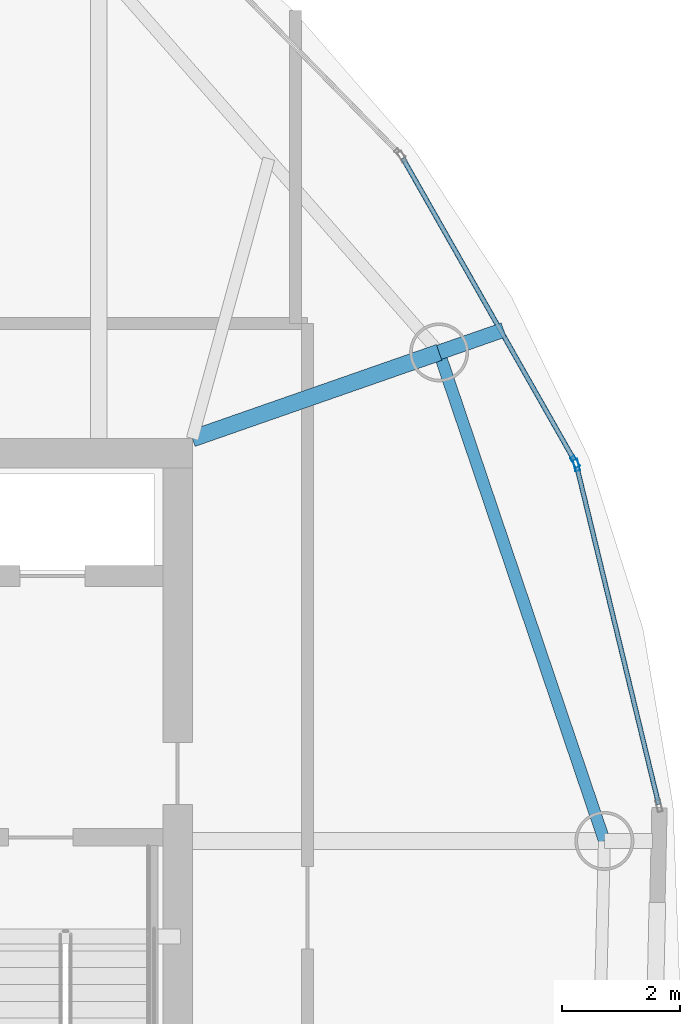
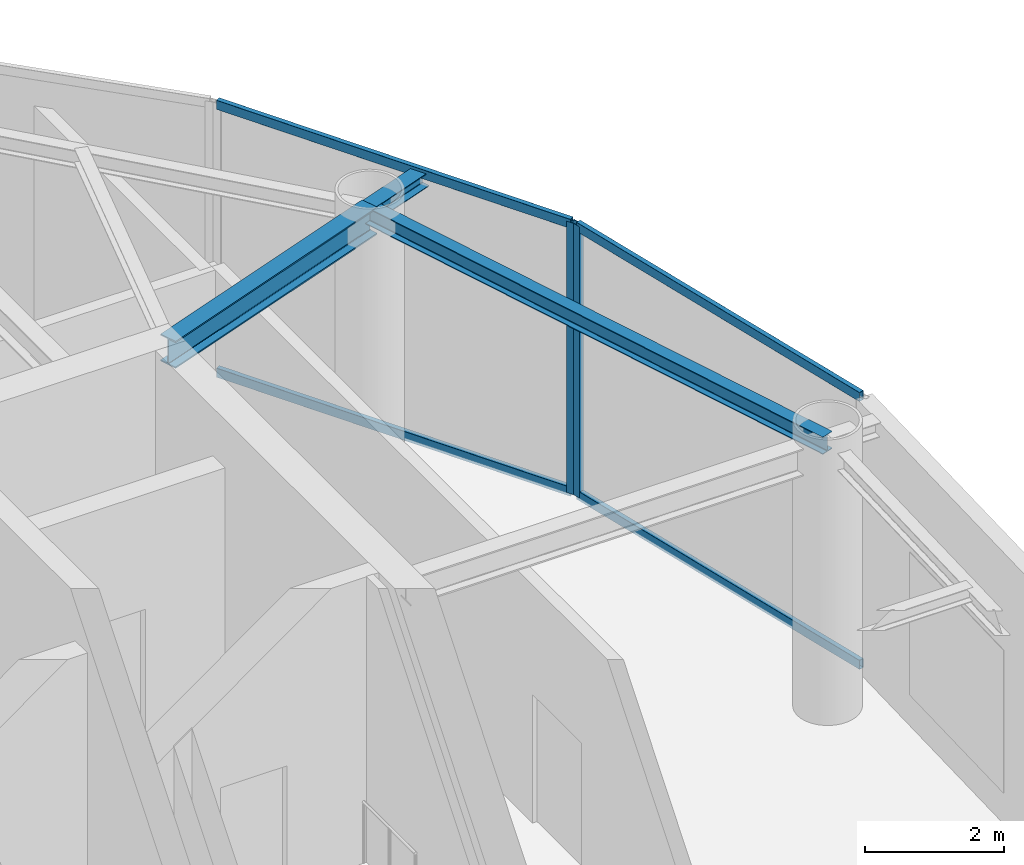
# One storey, part 11 of 23: 6 members, 3 beams, 2 elements without a shape of their own.
"""IFC4 building model written with IfcOpenShell, lengths in metres."""

from ifc_helpers import new_model, si_unit, direction, frame, origin, origin_2d, place, context, subcontext, project, spatial, hollow_rectangle, i_section, extrude, material, layer, layer_set, material_profile, profile_set, type_object, element, aggregate, save


model = new_model("IFC4")

# Units and contexts
model_context = context("Model", 3, precision=1e-05, world=origin(), true_north=direction((0.0, 1.0)))
body_context = subcontext(model_context, "Body", "Model", "MODEL_VIEW")
ifc_project = project(units=[si_unit("LENGTHUNIT", "METRE"), si_unit("AREAUNIT", "SQUARE_METRE"), si_unit("VOLUMEUNIT", "CUBIC_METRE"), si_unit("PLANEANGLEUNIT", "RADIAN"), si_unit("MASSUNIT", "GRAM", prefix="KILO")], contexts=[model_context])

# Site, building, storey
site_placement = place(None, origin())
site = spatial("IfcSite", under=ifc_project, at=site_placement, CompositionType="ELEMENT")
building_placement = place(site_placement, origin())
building = spatial("IfcBuilding", under=site, at=building_placement, Name="Bramvorn Convention Spire", CompositionType="ELEMENT")
storey_placement = place(building_placement, frame((0.0, 0.0, 307.5)))
storey = spatial("IfcBuildingStorey", under=building, at=storey_placement, Name="L78", CompositionType="ELEMENT", Elevation=307.5)

# Beams
ifc_material_1 = material(Name="Steel CSA G40.21 Grade 350 (350W)", Category="steel")
ifc_material_profile_1 = material_profile(ifc_material_1, i_section(OverallWidth=0.25390625, OverallDepth=0.2529296875, WebThickness=0.008544921875, FlangeThickness=0.01416015625, FilletRadius=0.011962890625, at=origin_2d()))
ifc_profile_set_1 = profile_set([ifc_material_profile_1], Name="Steel CSA G40.21 Grade 350 (350W) - W250X73")
beam_type_1 = type_object("IfcBeamType", Name="BM-W250X73", PredefinedType="BEAM", material=ifc_profile_set_1)
beam_1_placement = place(storey_placement, frame((53.4326171875, 34.909912109375, 4.62353515625), z_axis=(0.944143784709, 0.329533782478, 0.0), x_axis=(-0.329533782478, 0.944143784709, 0.0)))
element("IfcBeam", 1, at=beam_1_placement, inside=storey, type_object=beam_type_1, Name="L78 slab-edge cantilever tip beam MC05", PredefinedType="BEAM", context=body_context, shape_type="SweptSolid", body=[
    extrude(i_section(OverallWidth=0.25390625, OverallDepth=0.2529296875, WebThickness=0.008544921875, FlangeThickness=0.01416015625, FilletRadius=0.011962890625, at=origin_2d()), origin(), (0.0, 0.0, 1.0), 1.15869140625),
])
ifc_material_profile_2 = material_profile(ifc_material_1, i_section(OverallWidth=0.202880859375, OverallDepth=0.302978515625, WebThickness=0.007568359375, FlangeThickness=0.01318359375, FilletRadius=0.013916015625, at=origin_2d()))
ifc_profile_set_2 = profile_set([ifc_material_profile_2], Name="Steel CSA G40.21 Grade 350 (350W) - W310X60")
beam_type_2 = type_object("IfcBeamType", Name="BM-W310X60", PredefinedType="JOIST", material=ifc_profile_set_2)
beam_2_placement = place(storey_placement, frame((56.234619140625, 26.62939453125, 4.598388671875), z_axis=(-0.320531023763, 0.947238018032, 0.0), x_axis=(-0.947238018032, -0.320531023763, 0.0)))
element("IfcBeam", 2, at=beam_2_placement, inside=storey, type_object=beam_type_2, Name="L78 mega-column ring beam 04", PredefinedType="JOIST", context=body_context, shape_type="SweptSolid", body=[
    extrude(i_section(OverallWidth=0.202880859375, OverallDepth=0.302978515625, WebThickness=0.007568359375, FlangeThickness=0.01318359375, FilletRadius=0.013916015625, at=origin_2d()), origin(), (0.0, 0.0, 1.0), 8.74169921875),
])
ifc_material_profile_3 = material_profile(ifc_material_1, i_section(OverallWidth=0.283935546875, OverallDepth=0.47607421875, WebThickness=0.014892578125, FlangeThickness=0.02392578125, FilletRadius=0.01806640625, at=origin_2d()))
ifc_profile_set_3 = profile_set([ifc_material_profile_3], Name="Steel CSA G40.21 Grade 350 (350W) - W460X158")
beam_type_3 = type_object("IfcBeamType", Name="BM-W460X158", PredefinedType="SPANDREL", material=ifc_profile_set_3)
beam_3_placement = place(storey_placement, frame((49.25, 33.449951171875, 4.511962890625), z_axis=(0.944136391877, 0.329554962843, 0.0), x_axis=(-0.329554962843, 0.944136391877, 0.0)))
element("IfcBeam", 3, at=beam_3_placement, inside=storey, type_object=beam_type_3, Name="L78 radial floor girder MC05", PredefinedType="SPANDREL", context=body_context, shape_type="SweptSolid", body=[
    extrude(i_section(OverallWidth=0.283935546875, OverallDepth=0.47607421875, WebThickness=0.014892578125, FlangeThickness=0.02392578125, FilletRadius=0.01806640625, at=origin_2d()), origin(), (0.0, 0.0, 1.0), 4.43017578125),
])

# Curtain wall, member
ifc_material_2 = material(Name="Anodised Bronze Unitised Curtain Wall", Category="aluminium")
ifc_layer = layer(ifc_material_2, 0.199951171875)
ifc_layer_set = layer_set([ifc_layer], Name="Anodised Bronze Unitised Curtain Wall - CW-PLANT-LOUVRE")
curtain_wall_type = type_object("IfcCurtainWallType", Name="CW-PLANT-LOUVRE", PredefinedType="USERDEFINED", material=ifc_layer_set)
curtain_wall_1_placement = place(storey_placement, origin())
curtain_wall_1 = element("IfcCurtainWall", 4, at=curtain_wall_1_placement, inside=storey, type_object=curtain_wall_type, Name="L78 fritted glass curtain wall 06", ObjectType="UNITISED CURTAIN WALL", PredefinedType="USERDEFINED")
ifc_material_3 = material(Name="Anodised Bronze Aluminium 6063-T6", Category="aluminium")
ifc_material_profile_4 = material_profile(ifc_material_3, hollow_rectangle(XDim=0.080078125, YDim=0.199951171875, WallThickness=0.00390625, InnerFilletRadius=0.0009765625, OuterFilletRadius=0.00390625, at=origin_2d()))
ifc_profile_set_4 = profile_set([ifc_material_profile_4], Name="Anodised Bronze Aluminium 6063-T6 - CWM80X200")
member_type_1 = type_object("IfcMemberType", Name="CW-MUL-180", PredefinedType="MULLION", material=ifc_profile_set_4)
member_1_placement = place(storey_placement, frame((55.760498046875, 33.0, 0.0), z_axis=(0.0, 0.0, 1.0), x_axis=(0.971873206658, 0.235504713711, 0.0)))
member_1 = element("IfcMember", 5, at=member_1_placement, type_object=member_type_1, Name="CW5 mullion 1", PredefinedType="MULLION", context=body_context, shape_type="SweptSolid", body=[
    extrude(hollow_rectangle(XDim=0.080078125, YDim=0.199951171875, WallThickness=0.00390625, InnerFilletRadius=0.0009765625, OuterFilletRadius=0.00390625, at=origin_2d()), origin(), (0.0, 0.0, 1.0), 4.75),
])

curtain_wall_2_placement = place(storey_placement, origin())
curtain_wall_2 = element("IfcCurtainWall", 6, at=curtain_wall_2_placement, inside=storey, type_object=curtain_wall_type, Name="L78 fritted glass curtain wall 07", ObjectType="UNITISED CURTAIN WALL", PredefinedType="USERDEFINED")
member_2_placement = place(storey_placement, frame((55.73876953125, 33.05517578125, 0.0), z_axis=(0.0, 0.0, 1.0), x_axis=(0.869676062706, 0.493622878275, 0.0)))
member_2 = element("IfcMember", 7, at=member_2_placement, type_object=member_type_1, Name="CW5 mullion 2", PredefinedType="MULLION", context=body_context, shape_type="SweptSolid", body=[
    extrude(hollow_rectangle(XDim=0.080078125, YDim=0.199951171875, WallThickness=0.00390625, InnerFilletRadius=0.0009765625, OuterFilletRadius=0.00390625, at=origin_2d()), origin(), (0.0, 0.0, 1.0), 4.75),
])

# Member
ifc_material_profile_5 = material_profile(ifc_material_3, hollow_rectangle(XDim=0.080078125, YDim=0.159912109375, WallThickness=0.00390625, InnerFilletRadius=0.0009765625, OuterFilletRadius=0.00390625, at=origin_2d()))
ifc_profile_set_5 = profile_set([ifc_material_profile_5], Name="Anodised Bronze Aluminium 6063-T6 - CWT80X160")
member_type_2 = type_object("IfcMemberType", Name="CW-TRN-150", PredefinedType="USERDEFINED", material=ifc_profile_set_5)
member_3_placement = place(storey_placement, frame((55.767578125, 32.970703125, 0.030029296875), z_axis=(0.235521670336, -0.971869097565, 0.0), x_axis=(0.971869097565, 0.235521670336, 0.0)))
member_3 = element("IfcMember", 8, at=member_3_placement, type_object=member_type_2, Name="CW5 transom 1.1", ObjectType="TRANSOM", PredefinedType="USERDEFINED", context=body_context, shape_type="SweptSolid", body=[
    extrude(hollow_rectangle(XDim=0.080078125, YDim=0.159912109375, WallThickness=0.00390625, InnerFilletRadius=0.0009765625, OuterFilletRadius=0.00390625, at=origin_2d()), origin(), (0.0, 0.0, 1.0), 5.8857421875),
])

member_4_placement = place(storey_placement, frame((55.767578125, 32.970703125, 4.719970703125), z_axis=(0.235521670336, -0.971869097565, 0.0), x_axis=(0.971869097565, 0.235521670336, 0.0)))
member_4 = element("IfcMember", 9, at=member_4_placement, type_object=member_type_2, Name="CW5 transom 1.2", ObjectType="TRANSOM", PredefinedType="USERDEFINED", context=body_context, shape_type="SweptSolid", body=[
    extrude(hollow_rectangle(XDim=0.080078125, YDim=0.159912109375, WallThickness=0.00390625, InnerFilletRadius=0.0009765625, OuterFilletRadius=0.00390625, at=origin_2d()), origin(), (0.0, 0.0, 1.0), 5.8857421875),
])

aggregate(curtain_wall_1, [member_1, member_3, member_4])

member_5_placement = place(storey_placement, frame((52.818603515625, 38.199951171875, 0.030029296875), z_axis=(0.493617390614, -0.869679177446, 0.0), x_axis=(0.869679177446, 0.493617390614, 0.0)))
member_5 = element("IfcMember", 10, at=member_5_placement, type_object=member_type_2, Name="CW5 transom 1.1", ObjectType="TRANSOM", PredefinedType="USERDEFINED", context=body_context, shape_type="SweptSolid", body=[
    extrude(hollow_rectangle(XDim=0.080078125, YDim=0.159912109375, WallThickness=0.00390625, InnerFilletRadius=0.0009765625, OuterFilletRadius=0.00390625, at=origin_2d()), origin(), (0.0, 0.0, 1.0), 5.8857421875),
])

member_6_placement = place(storey_placement, frame((52.818603515625, 38.199951171875, 4.719970703125), z_axis=(0.493617390614, -0.869679177446, 0.0), x_axis=(0.869679177446, 0.493617390614, 0.0)))
member_6 = element("IfcMember", 11, at=member_6_placement, type_object=member_type_2, Name="CW5 transom 1.2", ObjectType="TRANSOM", PredefinedType="USERDEFINED", context=body_context, shape_type="SweptSolid", body=[
    extrude(hollow_rectangle(XDim=0.080078125, YDim=0.159912109375, WallThickness=0.00390625, InnerFilletRadius=0.0009765625, OuterFilletRadius=0.00390625, at=origin_2d()), origin(), (0.0, 0.0, 1.0), 5.8857421875),
])

aggregate(curtain_wall_2, [member_2, member_5, member_6])

save(model, "model.ifc")
